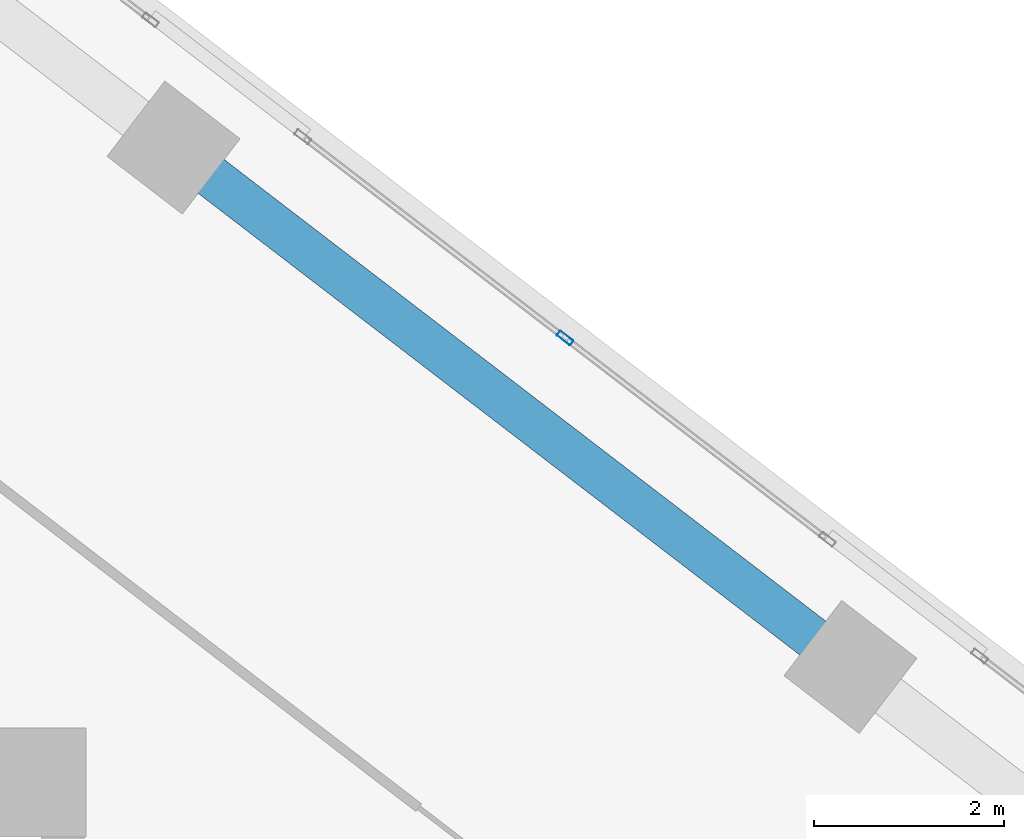
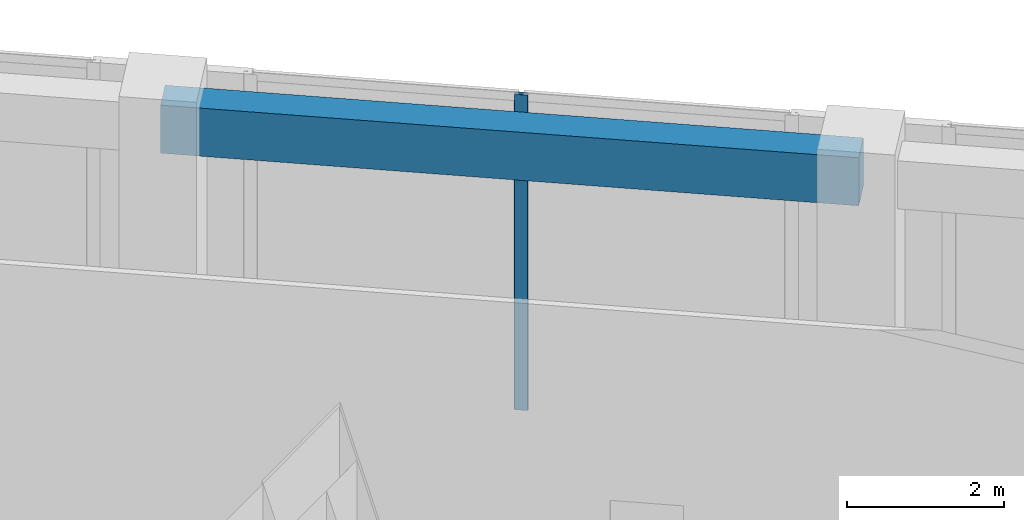
# One storey, part 16 of 23: 1 beam, 1 member, 1 element without a shape of its own.
"""IFC4 building model written with IfcOpenShell, lengths in metres."""

from ifc_helpers import new_model, si_unit, direction, frame, origin, origin_2d, place, context, subcontext, project, spatial, rectangle, hollow_rectangle, extrude, source, transform, mapped, material, material_profile, profile_set, type_object, element, aggregate, save


model = new_model("IFC4")

# Units and contexts
model_context = context("Model", 3, precision=1e-05, world=origin(), true_north=direction((0.0, 1.0)))
body_context = subcontext(model_context, "Body", "Model", "MODEL_VIEW")
ifc_project = project(units=[si_unit("LENGTHUNIT", "METRE"), si_unit("AREAUNIT", "SQUARE_METRE"), si_unit("VOLUMEUNIT", "CUBIC_METRE"), si_unit("PLANEANGLEUNIT", "RADIAN"), si_unit("MASSUNIT", "GRAM", prefix="KILO")], contexts=[model_context])

# Site, building, storey
site_placement = place(None, origin())
site = spatial("IfcSite", under=ifc_project, at=site_placement, CompositionType="ELEMENT")
building_placement = place(site_placement, origin())
building = spatial("IfcBuilding", under=site, at=building_placement, Name="Torre Montelarca", CompositionType="ELEMENT")
storey_placement = place(building_placement, frame((0.0, 0.0, 204.39990234375)))
storey = spatial("IfcBuildingStorey", under=building, at=storey_placement, Name="L46", CompositionType="ELEMENT", Elevation=204.39990234375)

# Beam
ifc_material_1 = material(Name="Concrete C55/67", Category="concrete")
ifc_material_profile_1 = material_profile(ifc_material_1, rectangle(XDim=0.449951171875, YDim=0.75, at=origin_2d()), Name="RCB450X750", Category="concrete")
ifc_profile_set_1 = profile_set([ifc_material_profile_1], Name="Concrete C55/67")
beam_type = type_object("IfcBeamType", Name="BM-SP-RC750-EXT", PredefinedType="SPANDREL", material=ifc_profile_set_1)
shared_shape_1 = source(origin(), body_context, "Body", "SweptSolid", [
    extrude(rectangle(XDim=0.449951171875, YDim=0.75, at=origin_2d()), origin(), (0.0, 0.0, 1.0), 9.0),
])
beam_placement = place(storey_placement, frame((27.946044921875, 46.14990234375, 4.7451171875), z_axis=(0.793356551293, -0.608757244327, 0.0), x_axis=(0.608757244327, 0.793356551293, 0.0)))
element("IfcBeam", 1, at=beam_placement, inside=storey, type_object=beam_type, Name="L46 Grid Girder X 18.0-27.0 at Y=47.1", PredefinedType="SPANDREL", context=body_context, shape_type="MappedRepresentation", body=[
    mapped(shared_shape_1, transform((0.0, 0.0, 0.0), scale=1.0)),
])

# Curtain wall, member
ifc_material_2 = material(Name="Insulated low-E laminated glass", Category="glass")
curtain_wall_type = type_object("IfcCurtainWallType", Name="CW-SYS-Z2", PredefinedType="USERDEFINED", material=ifc_material_2)
curtain_wall_placement = place(storey_placement, origin())
curtain_wall = element("IfcCurtainWall", 2, at=curtain_wall_placement, inside=storey, type_object=curtain_wall_type, Name="L46 Curtain Wall Run CW-T3-L46-E08-B3", ObjectType="UNITISED GLAZING", PredefinedType="USERDEFINED")
ifc_material_3 = material(Name="Anodised aluminium AA 6063-T6", Category="aluminium")
ifc_material_profile_2 = material_profile(ifc_material_3, hollow_rectangle(XDim=0.06494140625, YDim=0.179931640625, WallThickness=0.00390625, InnerFilletRadius=0.00390625, OuterFilletRadius=0.008056640625, at=origin_2d()), Name="ALU65X180X4", Category="aluminium")
ifc_profile_set_2 = profile_set([ifc_material_profile_2], Name="Anodised aluminium AA 6063-T6")
member_type = type_object("IfcMemberType", Name="CWM-ALU180", PredefinedType="MULLION", material=ifc_profile_set_2)
shared_shape_2 = source(origin(), body_context, "Body", "SweptSolid", [
    extrude(hollow_rectangle(XDim=0.06494140625, YDim=0.179931640625, WallThickness=0.00390625, InnerFilletRadius=0.00390625, OuterFilletRadius=0.008056640625, at=origin_2d()), origin(), (0.0, 0.0, 1.0), 4.920166015625),
])
member_placement = place(storey_placement, frame((32.076171875, 44.140380859375, 0.0), z_axis=(0.0, 0.0, 1.0), x_axis=(-0.608756831323, -0.793356868199, 0.0)))
member = element("IfcMember", 3, at=member_placement, type_object=member_type, Name="CW mullion 2", PredefinedType="MULLION", context=body_context, shape_type="MappedRepresentation", body=[
    mapped(shared_shape_2, transform((0.0, 0.0, 0.0), scale=1.0)),
])
aggregate(curtain_wall, [member])

save(model, "model.ifc")
